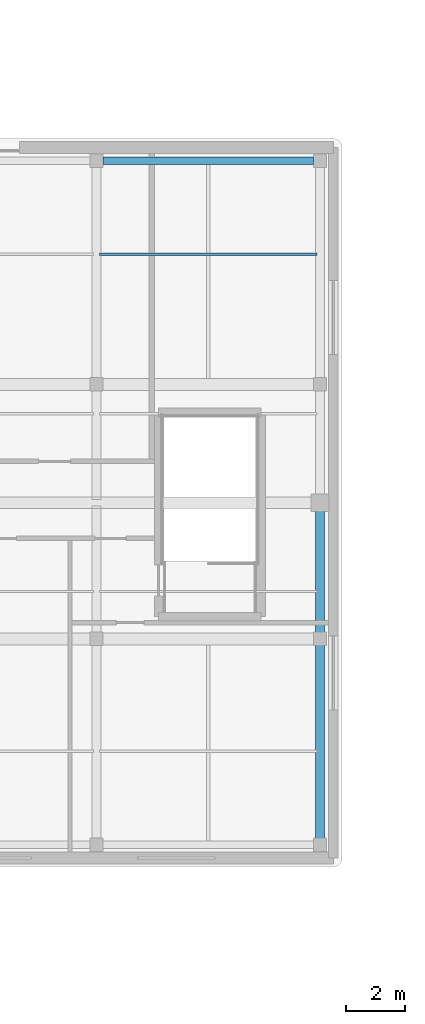
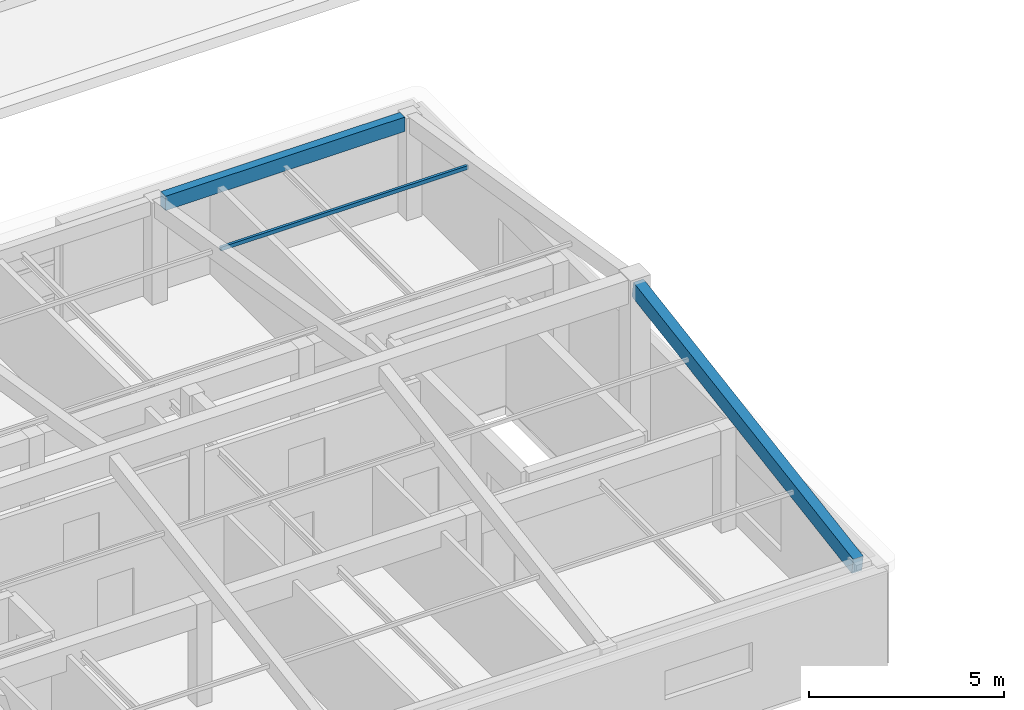
# One storey, part 8 of 128: 2 beams, 1 member.
"""IFC4 building model written with IfcOpenShell, lengths in metres."""

from ifc_helpers import new_model, si_unit, direction, frame, origin, origin_2d, place, context, subcontext, project, spatial, rectangle, hollow_rectangle, extrude, material, material_profile, profile_set, type_object, element, save


model = new_model("IFC4")

# Units and contexts
model_context = context("Model", 3, precision=1e-05, world=origin(), true_north=direction((0.0, 1.0)))
body_context = subcontext(model_context, "Body", "Model", "MODEL_VIEW")
ifc_project = project(units=[si_unit("LENGTHUNIT", "METRE"), si_unit("AREAUNIT", "SQUARE_METRE"), si_unit("VOLUMEUNIT", "CUBIC_METRE"), si_unit("PLANEANGLEUNIT", "RADIAN"), si_unit("MASSUNIT", "GRAM", prefix="KILO")], contexts=[model_context])

# Site, building, storey
site_placement = place(None, origin())
site = spatial("IfcSite", under=ifc_project, at=site_placement, CompositionType="ELEMENT")
building_placement = place(site_placement, origin())
building = spatial("IfcBuilding", under=site, at=building_placement, Name="Keldmere Railside Commons", CompositionType="ELEMENT")
storey_placement = place(building_placement, frame((0.0, 0.0, 4.159912109375)))
storey = spatial("IfcBuildingStorey", under=building, at=storey_placement, Name="L01", CompositionType="ELEMENT", Elevation=4.159912109375)

# Member
ifc_material_1 = material(Name="Steel F-24 (S235)", Category="steel")
ifc_material_profile_1 = material_profile(ifc_material_1, hollow_rectangle(XDim=0.080078125, YDim=0.1201171875, WallThickness=0.006103515625, at=origin_2d()), Name="RHS-120x80x6")
ifc_profile_set_1 = profile_set([ifc_material_profile_1], Name="Steel F-24 (S235)")
member_type = type_object("IfcMemberType", Name="Nursery Roof Steel Purlin RHS120x80", PredefinedType="PURLIN", material=ifc_profile_set_1)
member_placement = place(storey_placement, frame((32.10009765625, 36.39990234375, 3.440185546875), z_axis=(1.0, 0.0, 0.0), x_axis=(0.0, 1.0, 0.0)))
element("IfcMember", 1, at=member_placement, inside=storey, type_object=member_type, Name="PUR-1 MEM-PUR-037", PredefinedType="PURLIN", context=body_context, shape_type="SweptSolid", body=[
    extrude(hollow_rectangle(XDim=0.080078125, YDim=0.1201171875, WallThickness=0.006103515625, at=origin_2d()), origin(), (0.0, 0.0, 1.0), 7.349853515625),
])

# Beams
ifc_material_2 = material(Name="Architectural Precast Concrete H-35 (C35/45)", Category="concrete")
ifc_material_profile_2 = material_profile(ifc_material_2, rectangle(XDim=0.25, YDim=0.449951171875, at=origin_2d()), Name="RC-250x450")
ifc_profile_set_2 = profile_set([ifc_material_profile_2], Name="Architectural Precast Concrete H-35 (C35/45)")
beam_type_1 = type_object("IfcBeamType", Name="Perimeter Precast Spandrel Beam 250x450", PredefinedType="SPANDREL", material=ifc_profile_set_2)
beam_1_placement = place(storey_placement, frame((32.22509765625, 39.550048828125, 2.97509765625), z_axis=(1.0, 0.0, 0.0), x_axis=(0.0, 1.0, 0.0)))
element("IfcBeam", 2, at=beam_1_placement, inside=storey, type_object=beam_type_1, Name="SPB-1 BM-L01-0773", PredefinedType="SPANDREL", context=body_context, shape_type="SweptSolid", body=[
    extrude(rectangle(XDim=0.25, YDim=0.449951171875, at=origin_2d()), origin(), (0.0, 0.0, 1.0), 7.099853515625),
])
ifc_material_3 = material(Name="Concrete H-30 (C30/37)", Category="concrete")
ifc_material_profile_3 = material_profile(ifc_material_3, rectangle(XDim=0.300048828125, YDim=0.5, at=origin_2d()), Name="RC-300x500")
ifc_profile_set_3 = profile_set([ifc_material_profile_3], Name="Concrete H-30 (C30/37)")
beam_type_2 = type_object("IfcBeamType", Name="Secondary Frame RC Beam 300x500", PredefinedType="BEAM", material=ifc_profile_set_3)
beam_2_placement = place(storey_placement, frame((39.550048828125, 16.550048828125, 2.9501953125), z_axis=(0.0, 0.987003101327, 0.160701207121), x_axis=(-1.0, 0.0, 0.0)))
element("IfcBeam", 3, at=beam_2_placement, inside=storey, type_object=beam_type_2, Name="BG-5 BM-L01-2668", PredefinedType="BEAM", context=body_context, shape_type="SweptSolid", body=[
    extrude(rectangle(XDim=0.300048828125, YDim=0.5, at=origin_2d()), origin(), (0.0, 0.0, 1.0), 11.44873046875),
])

save(model, "model.ifc")
